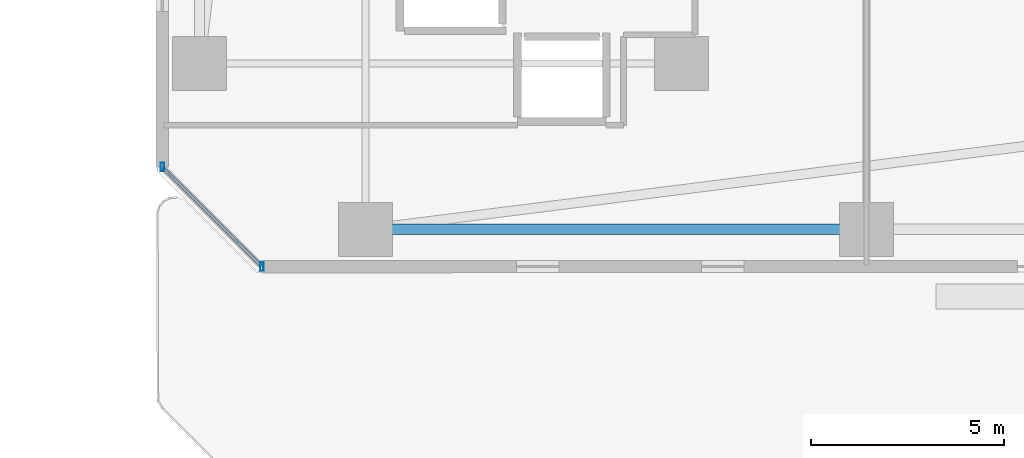
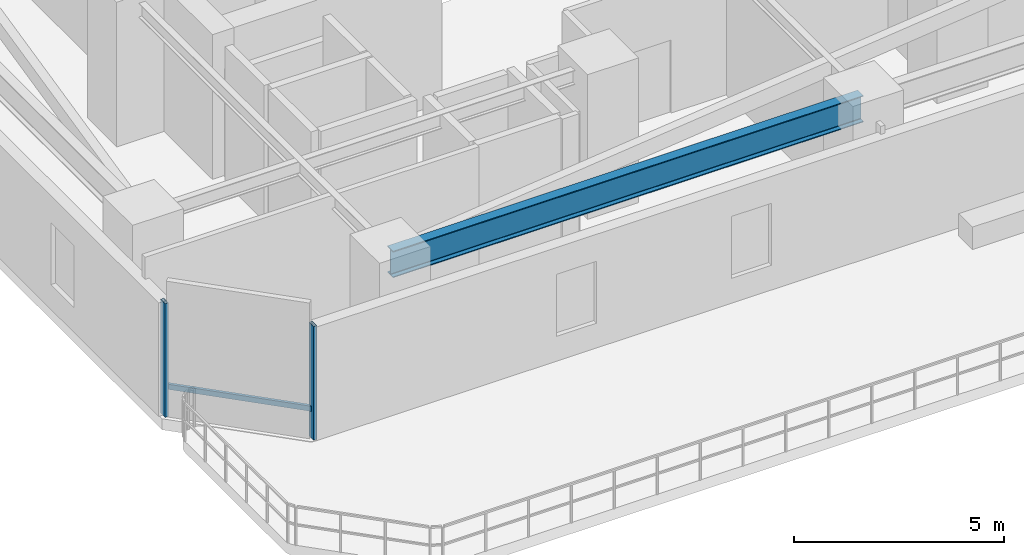
# One storey, part 10 of 33: 3 members, 1 beam, 1 element without a shape of its own.
"""IFC4 building model written with IfcOpenShell, lengths in metres."""

from ifc_helpers import new_model, si_unit, direction, frame, origin, origin_2d, place, context, subcontext, project, spatial, hollow_rectangle, i_section, extrude, material, material_profile, profile_set, type_object, element, aggregate, save


model = new_model("IFC4")

# Units and contexts
model_context = context("Model", 3, precision=1e-05, world=origin(), true_north=direction((0.0, 1.0)))
body_context = subcontext(model_context, "Body", "Model", "MODEL_VIEW")
ifc_project = project(units=[si_unit("LENGTHUNIT", "METRE"), si_unit("AREAUNIT", "SQUARE_METRE"), si_unit("VOLUMEUNIT", "CUBIC_METRE"), si_unit("PLANEANGLEUNIT", "RADIAN"), si_unit("MASSUNIT", "GRAM", prefix="KILO")], contexts=[model_context])

# Site, building, storey
site_placement = place(None, origin())
site = spatial("IfcSite", under=ifc_project, at=site_placement, CompositionType="ELEMENT")
building_placement = place(site_placement, origin())
building = spatial("IfcBuilding", under=site, at=building_placement, Name="Thornwick Lancets Civic Towers", CompositionType="ELEMENT")
storey_placement = place(building_placement, frame((0.0, 0.0, 49.5)))
storey = spatial("IfcBuildingStorey", under=building, at=storey_placement, Name="L12", CompositionType="ELEMENT", Elevation=49.5)

# Beam
ifc_material_1 = material(Name="Steel S355JR", Category="steel")
ifc_material_profile_1 = material_profile(ifc_material_1, i_section(OverallWidth=0.26806640625, OverallDepth=0.769775390625, WebThickness=0.015625, FlangeThickness=0.025390625, FilletRadius=0.0166015625, at=origin_2d()), Name="UKB 762x267x197")
ifc_profile_set_1 = profile_set([ifc_material_profile_1], Name="Steel S355JR")
beam_type = type_object("IfcBeamType", Name="BM_GIRD_762_197", PredefinedType="BEAM", material=ifc_profile_set_1)
beam_placement = place(storey_placement, frame((88.419921875, 9.699951171875, 3.5751953125), z_axis=(-1.0, 0.0, 0.0), x_axis=(0.0, -1.0, 0.0)))
element("IfcBeam", 1, at=beam_placement, inside=storey, type_object=beam_type, Name="BM-SPINE-L12-B-10-11", PredefinedType="BEAM", context=body_context, shape_type="SweptSolid", body=[
    extrude(i_section(OverallWidth=0.26806640625, OverallDepth=0.769775390625, WebThickness=0.015625, FlangeThickness=0.025390625, FilletRadius=0.0166015625, at=origin_2d()), origin(), (0.0, 0.0, 1.0), 12.919921875),
])

# Curtain wall, members
ifc_material_2 = material(Name="Low-zone chamfered-corner unitised glass curtain wall", Category="glass")
curtain_wall_type = type_object("IfcCurtainWallType", Name="CW_SYS_03", PredefinedType="NOTDEFINED", material=ifc_material_2)
curtain_wall_placement = place(storey_placement, origin())
curtain_wall = element("IfcCurtainWall", 2, at=curtain_wall_placement, inside=storey, type_object=curtain_wall_type, Name="L12 Curtain Wall CW-L12-B-E7", PredefinedType="NOTDEFINED")
ifc_material_3 = material(Name="Thermally broken bronze aluminium S355", Category="steel")
ifc_material_profile_2 = material_profile(ifc_material_3, hollow_rectangle(XDim=0.090087890625, YDim=0.219970703125, WallThickness=0.00634765625, at=origin_2d()), Name="RHS 220x90x6.3")
ifc_profile_set_2 = profile_set([ifc_material_profile_2], Name="Thermally broken bronze aluminium S355")
member_type_1 = type_object("IfcMemberType", Name="CW_MUL_220", PredefinedType="MULLION", material=ifc_profile_set_2)
member_1_placement = place(storey_placement, frame((70.235107421875, 11.31884765625, 0.0), z_axis=(0.0, 0.0, 1.0), x_axis=(1.0, 0.0, 0.0)))
member_1 = element("IfcMember", 3, at=member_1_placement, type_object=member_type_1, Name="CW-L12-B-E7 Mullion 0", PredefinedType="MULLION", context=body_context, shape_type="SweptSolid", body=[
    extrude(hollow_rectangle(XDim=0.090087890625, YDim=0.219970703125, WallThickness=0.00634765625, at=origin_2d()), origin(), (0.0, 0.0, 1.0), 3.300048828125),
])
member_2_placement = place(storey_placement, frame((72.81884765625, 8.735107421875, 0.0), z_axis=(0.0, 0.0, 1.0), x_axis=(1.0, 0.0, 0.0)))
member_2 = element("IfcMember", 4, at=member_2_placement, type_object=member_type_1, Name="CW-L12-B-E7 Mullion 1", PredefinedType="MULLION", context=body_context, shape_type="SweptSolid", body=[
    extrude(hollow_rectangle(XDim=0.090087890625, YDim=0.219970703125, WallThickness=0.00634765625, at=origin_2d()), origin(), (0.0, 0.0, 1.0), 3.300048828125),
])
ifc_material_profile_3 = material_profile(ifc_material_3, hollow_rectangle(XDim=0.074951171875, YDim=0.14990234375, WallThickness=0.0048828125, at=origin_2d()), Name="RHS 150x75x5")
ifc_profile_set_3 = profile_set([ifc_material_profile_3], Name="Thermally broken bronze aluminium S355")
member_type_2 = type_object("IfcMemberType", Name="CW_TRN_150", PredefinedType="USERDEFINED", material=ifc_profile_set_3)
member_3_placement = place(storey_placement, frame((70.249267578125, 11.3046875, 0.85009765625), z_axis=(0.707106781187, -0.707106781187, 0.0), x_axis=(0.707106781187, 0.707106781187, 0.0)))
member_3 = element("IfcMember", 5, at=member_3_placement, type_object=member_type_2, Name="CW-L12-B-E7 Transom 0", ObjectType="TRANSOM", PredefinedType="USERDEFINED", context=body_context, shape_type="SweptSolid", body=[
    extrude(hollow_rectangle(XDim=0.074951171875, YDim=0.14990234375, WallThickness=0.0048828125, at=origin_2d()), origin(), (0.0, 0.0, 1.0), 3.614013671875),
])
aggregate(curtain_wall, [member_1, member_2, member_3])

save(model, "model.ifc")
